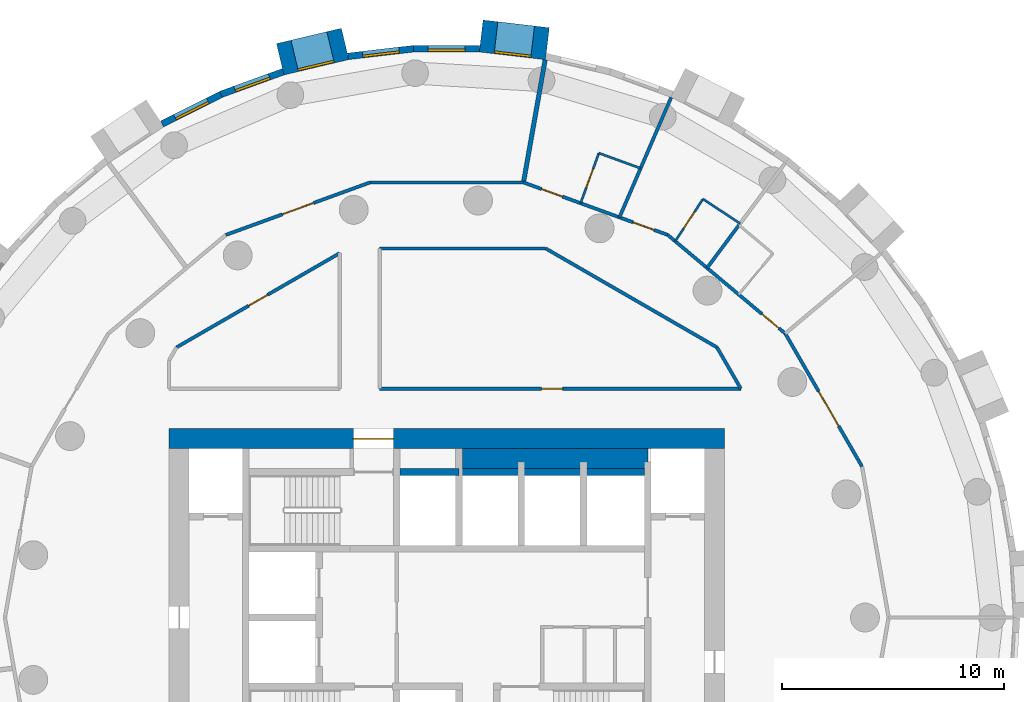
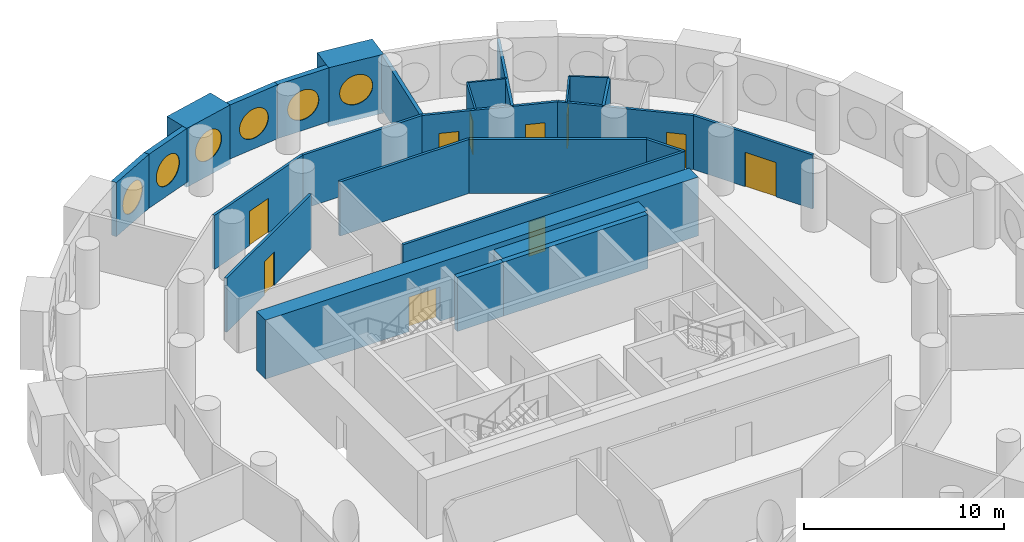
# One storey, part 6 of 9: 27 walls, 10 doors, 6 windows, 16 openings.
"""IFC4 building model written with IfcOpenShell, lengths in metres."""

from ifc_helpers import new_model, si_unit, direction, frame, frame_2d, origin, origin_2d, place, context, subcontext, project, spatial, rectangle, circle, extrude, material, layer, layer_set, type_object, element, fill, save


model = new_model("IFC4")

# Units and contexts
model_context = context("Model", 3, precision=1e-05, world=origin(), true_north=direction((0.0, 1.0)))
body_context = subcontext(model_context, "Body", "Model", "MODEL_VIEW")
ifc_project = project(units=[si_unit("LENGTHUNIT", "METRE"), si_unit("AREAUNIT", "SQUARE_METRE"), si_unit("VOLUMEUNIT", "CUBIC_METRE"), si_unit("PLANEANGLEUNIT", "RADIAN"), si_unit("MASSUNIT", "GRAM", prefix="KILO")], contexts=[model_context])

# Site, building, storey
site_placement = place(None, origin())
site = spatial("IfcSite", under=ifc_project, at=site_placement, CompositionType="ELEMENT")
building_placement = place(site_placement, origin())
building = spatial("IfcBuilding", under=site, at=building_placement, Name="Tracery Tower", CompositionType="ELEMENT")
storey_placement = place(building_placement, frame((0.0, 0.0, 151.199951171875)))
storey = spatial("IfcBuildingStorey", under=building, at=storey_placement, Name="L38", CompositionType="ELEMENT", Elevation=151.199951171875)

# Wall
ifc_material_1 = material(Name="Concrete C50/60", Category="concrete")
ifc_layer_1 = layer(ifc_material_1, 0.89990234375)
ifc_layer_set_1 = layer_set([ifc_layer_1], Name="Core strip wall 900 C50")
wall_type_1 = type_object("IfcWallType", Name="Core strip wall 900 C50", PredefinedType="SOLIDWALL", material=ifc_layer_set_1)
wall_1_placement = place(storey_placement, frame((0.699951171875, 7.14990234375, 0.0), z_axis=(0.0, 0.0, 1.0), x_axis=(1.0, 0.0, 0.0)))
element("IfcWall", 1, at=wall_1_placement, inside=storey, type_object=wall_type_1, Name="L38 F thick N E", PredefinedType="SOLIDWALL", context=body_context, shape_type="SweptSolid", body=[
    extrude(rectangle(XDim=8.35009765625, YDim=0.89990234375, at=frame_2d((4.175048828125, 0.0))), origin(), (0.0, 0.0, 1.0), 3.300048828125),
])

# Wall, opening, door
ifc_material_2 = material(Name="Concrete C50/60", Category="concrete")
ifc_layer_2 = layer(ifc_material_2, 0.89990234375)
ifc_layer_set_2 = layer_set([ifc_layer_2], Name="Core wall 900 C50")
wall_type_2 = type_object("IfcWallType", Name="Core wall 900 C50", PredefinedType="SOLIDWALL", material=ifc_layer_set_2)
wall_2_placement = place(storey_placement, frame((-12.5, 8.050048828125, 0.0), z_axis=(0.0, 0.0, 1.0), x_axis=(1.0, 0.0, 0.0)))
wall_2 = element("IfcWall", 2, at=wall_2_placement, inside=storey, type_object=wall_type_2, Name="L38 outer N", PredefinedType="SOLIDWALL", context=body_context, shape_type="SweptSolid", body=[
    extrude(rectangle(XDim=25.0, YDim=0.89990234375, at=frame_2d((12.5, 0.0))), origin(), (0.0, 0.0, 1.0), 3.60009765625),
])
opening_1_placement = place(wall_2_placement, frame((8.300048828125, 0.0, 0.0)))
opening_1 = element("IfcOpeningElement", 3, at=opening_1_placement, cuts=wall_2, Name="Opening KD13", PredefinedType="OPENING", context=body_context, shape_type="SweptSolid", body=[
    extrude(rectangle(XDim=1.800048828125, YDim=2.10009765625, at=frame_2d((0.89990234375, 1.050048828125))), frame((0.0, 0.449951171875, 0.0), z_axis=(0.0, -1.0, 0.0), x_axis=(1.0, 0.0, 0.0)), (0.0, 0.0, 1.0), 0.89990234375),
])
ifc_material_3 = material(Name="Steel fire door", Category="steel")
door_type_1 = type_object("IfcDoorType", Name="Core exit door 1800 double", OperationType="NOTDEFINED", PredefinedType="DOOR", material=ifc_material_3)
door_1_placement = place(opening_1_placement, origin())
door_1 = element("IfcDoor", 4, at=door_1_placement, inside=storey, type_object=door_type_1, Name="Core exit door", OperationType="DOUBLE_DOOR_SINGLE_SWING", OverallHeight=2.10009765625, OverallWidth=1.800048828125, PredefinedType="DOOR", context=body_context, shape_type="SweptSolid", body=[
    extrude(rectangle(XDim=1.800048828125, YDim=2.10009765625, at=frame_2d((0.89990234375, 1.050048828125))), frame((0.0, 0.02490234375, 0.0), z_axis=(0.0, -1.0, 0.0), x_axis=(1.0, 0.0, 0.0)), (0.0, 0.0, 1.0), 0.050048828125),
])
fill(opening_1, door_1)

# Wall, opening, window
ifc_material_4 = material(Name="Precast concrete C50/60", Category="concrete")
ifc_layer_3 = layer(ifc_material_4, 1.449951171875)
ifc_layer_set_3 = layer_set([ifc_layer_3], Name="Deep-set bay unit 3000 x 3600, slab edge 300")
wall_type_3 = type_object("IfcWallType", Name="Deep-set bay unit 3000 x 3600, slab edge 300", PredefinedType="ELEMENTEDWALL", material=ifc_layer_set_3)
wall_3_placement = place(storey_placement, frame((4.529052734375, 25.827880859375, -0.300048828125), z_axis=(0.0, 0.0, 1.0), x_axis=(-0.9932342274, 0.116128246006, 0.0)))
wall_3 = element("IfcWall", 5, at=wall_3_placement, inside=storey, type_object=wall_type_3, Name="Deep-set bay unit 13 at L38", PredefinedType="ELEMENTEDWALL", context=body_context, shape_type="SweptSolid", body=[
    extrude(rectangle(XDim=3.0, YDim=1.449951171875, at=frame_2d((1.5, 0.0))), origin(), (0.0, 0.0, 1.0), 3.60009765625),
])
opening_2_placement = place(wall_3_placement, frame((1.5, 0.0, 1.85009765625)))
opening_2 = element("IfcOpeningElement", 6, at=opening_2_placement, cuts=wall_3, Name="Opening WN1", PredefinedType="OPENING", context=body_context, shape_type="SweptSolid", body=[
    extrude(circle(Radius=0.9000244140625, at=origin_2d()), frame((0.0, 0.73486328125, 0.0), z_axis=(0.0, -1.0, 0.0), x_axis=(1.0, 0.0, 0.0)), (0.0, 0.0, 1.0), 1.469970703125),
])
ifc_material_5 = material(Name="Aluminium frame with tinted double glazing", Category="aluminium")
window_type = type_object("IfcWindowType", Name="Round window 1800", PartitioningType="SINGLE_PANEL", PredefinedType="WINDOW", material=ifc_material_5)
window_1_placement = place(opening_2_placement, origin())
window_1 = element("IfcWindow", 7, at=window_1_placement, inside=storey, type_object=window_type, Name="Round window 13 at L38", OverallHeight=1.800048828125, OverallWidth=1.800048828125, PartitioningType="SINGLE_PANEL", PredefinedType="WINDOW", context=body_context, shape_type="SweptSolid", body=[
    extrude(circle(Radius=0.9000244140625, at=origin_2d()), frame((0.0, 0.69482421875, 0.0), z_axis=(0.0, -1.0, 0.0), x_axis=(1.0, 0.0, 0.0)), (0.0, 0.0, 1.0), 0.10009765625),
])
fill(opening_2, window_1)

wall_4_placement = place(storey_placement, frame((-4.57763671875, 25.8193359375, -0.300048828125), z_axis=(0.0, 0.0, 1.0), x_axis=(-0.973042333261, -0.23062657627, 0.0)))
wall_4 = element("IfcWall", 8, at=wall_4_placement, inside=storey, type_object=wall_type_3, Name="Deep-set bay unit 16 at L38", PredefinedType="ELEMENTEDWALL", context=body_context, shape_type="SweptSolid", body=[
    extrude(rectangle(XDim=3.0, YDim=1.449951171875, at=frame_2d((1.5, 0.0))), origin(), (0.0, 0.0, 1.0), 3.60009765625),
])
opening_3_placement = place(wall_4_placement, frame((1.5, 0.0, 1.85009765625)))
opening_3 = element("IfcOpeningElement", 9, at=opening_3_placement, cuts=wall_4, Name="Opening WN1", PredefinedType="OPENING", context=body_context, shape_type="SweptSolid", body=[
    extrude(circle(Radius=0.9000244140625, at=origin_2d()), frame((0.0, 0.73486328125, 0.0), z_axis=(0.0, -1.0, 0.0), x_axis=(1.0, 0.0, 0.0)), (0.0, 0.0, 1.0), 1.469970703125),
])
window_2_placement = place(opening_3_placement, origin())
window_2 = element("IfcWindow", 10, at=window_2_placement, inside=storey, type_object=window_type, Name="Round window 16 at L38", OverallHeight=1.800048828125, OverallWidth=1.800048828125, PartitioningType="SINGLE_PANEL", PredefinedType="WINDOW", context=body_context, shape_type="SweptSolid", body=[
    extrude(circle(Radius=0.9000244140625, at=origin_2d()), frame((0.0, 0.69482421875, 0.0), z_axis=(0.0, -1.0, 0.0), x_axis=(1.0, 0.0, 0.0)), (0.0, 0.0, 1.0), 0.10009765625),
])
fill(opening_3, window_2)

ifc_material_6 = material(Name="Precast concrete C50/60", Category="concrete")
ifc_layer_4 = layer(ifc_material_6, 0.300048828125)
ifc_layer_set_4 = layer_set([ifc_layer_4], Name="Facade panel 3000 x 3300")
wall_type_4 = type_object("IfcWallType", Name="Facade panel 3000 x 3300", PredefinedType="SOLIDWALL", material=ifc_layer_set_4)
wall_5_placement = place(storey_placement, frame((1.481689453125, 25.60400390625, 0.0), z_axis=(0.0, 0.0, 1.0), x_axis=(-1.0, 0.0, 0.0)))
wall_5 = element("IfcWall", 11, at=wall_5_placement, inside=storey, type_object=wall_type_4, Name="Facade panel 14 at L38", PredefinedType="SOLIDWALL", context=body_context, shape_type="SweptSolid", body=[
    extrude(rectangle(XDim=2.972900390625, YDim=0.300048828125, at=frame_2d((1.486328125, 0.0))), origin(), (0.0, 0.0, 1.0), 3.300048828125),
])
opening_4_placement = place(wall_5_placement, frame((1.486328125, 0.0, 1.5498046875)))
opening_4 = element("IfcOpeningElement", 12, at=opening_4_placement, cuts=wall_5, Name="Opening WN1", PredefinedType="OPENING", context=body_context, shape_type="SweptSolid", body=[
    extrude(circle(Radius=0.9000244140625, at=origin_2d()), frame((0.0, 0.159912109375, 0.0), z_axis=(0.0, -1.0, 0.0), x_axis=(1.0, 0.0, 0.0)), (0.0, 0.0, 1.0), 0.320068359375),
])
window_3_placement = place(opening_4_placement, origin())
window_3 = element("IfcWindow", 13, at=window_3_placement, inside=storey, type_object=window_type, Name="Round window 14 at L38", OverallHeight=1.800048828125, OverallWidth=1.800048828125, PartitioningType="SINGLE_PANEL", PredefinedType="WINDOW", context=body_context, shape_type="SweptSolid", body=[
    extrude(circle(Radius=0.9000244140625, at=origin_2d()), frame((0.0, 0.1201171875, 0.0), z_axis=(0.0, -1.0, 0.0), x_axis=(1.0, 0.0, 0.0)), (0.0, 0.0, 1.0), 0.10009765625),
])
fill(opening_4, window_3)

wall_6_placement = place(storey_placement, frame((-1.4912109375, 25.60400390625, 0.0), z_axis=(0.0, 0.0, 1.0), x_axis=(-0.993245010522, -0.1160359818, 0.0)))
wall_6 = element("IfcWall", 14, at=wall_6_placement, inside=storey, type_object=wall_type_4, Name="Facade panel 15 at L38", PredefinedType="SOLIDWALL", context=body_context, shape_type="SweptSolid", body=[
    extrude(rectangle(XDim=2.972900390625, YDim=0.300048828125, at=frame_2d((1.486328125, 0.0))), origin(), (0.0, 0.0, 1.0), 3.300048828125),
])
opening_5_placement = place(wall_6_placement, frame((1.486328125, 0.0, 1.5498046875)))
opening_5 = element("IfcOpeningElement", 15, at=opening_5_placement, cuts=wall_6, Name="Opening WN1", PredefinedType="OPENING", context=body_context, shape_type="SweptSolid", body=[
    extrude(circle(Radius=0.9000244140625, at=origin_2d()), frame((0.0, 0.159912109375, 0.0), z_axis=(0.0, -1.0, 0.0), x_axis=(1.0, 0.0, 0.0)), (0.0, 0.0, 1.0), 0.320068359375),
])
window_4_placement = place(opening_5_placement, origin())
window_4 = element("IfcWindow", 16, at=window_4_placement, inside=storey, type_object=window_type, Name="Round window 15 at L38", OverallHeight=1.800048828125, OverallWidth=1.800048828125, PartitioningType="SINGLE_PANEL", PredefinedType="WINDOW", context=body_context, shape_type="SweptSolid", body=[
    extrude(circle(Radius=0.9000244140625, at=origin_2d()), frame((0.0, 0.1201171875, 0.0), z_axis=(0.0, -1.0, 0.0), x_axis=(1.0, 0.0, 0.0)), (0.0, 0.0, 1.0), 0.10009765625),
])
fill(opening_5, window_4)

wall_7_placement = place(storey_placement, frame((-7.36474609375, 24.566650390625, 0.0), z_axis=(0.0, 0.0, 1.0), x_axis=(-0.939690282133, -0.342026568652, 0.0)))
wall_7 = element("IfcWall", 17, at=wall_7_placement, inside=storey, type_object=wall_type_4, Name="Facade panel 17 at L38", PredefinedType="SOLIDWALL", context=body_context, shape_type="SweptSolid", body=[
    extrude(rectangle(XDim=2.972900390625, YDim=0.300048828125, at=frame_2d((1.486328125, 0.0))), origin(), (0.0, 0.0, 1.0), 3.300048828125),
])
opening_6_placement = place(wall_7_placement, frame((1.486328125, 0.0, 1.5498046875)))
opening_6 = element("IfcOpeningElement", 18, at=opening_6_placement, cuts=wall_7, Name="Opening WN1", PredefinedType="OPENING", context=body_context, shape_type="SweptSolid", body=[
    extrude(circle(Radius=0.9000244140625, at=origin_2d()), frame((0.0, 0.159912109375, 0.0), z_axis=(0.0, -1.0, 0.0), x_axis=(1.0, 0.0, 0.0)), (0.0, 0.0, 1.0), 0.320068359375),
])
window_5_placement = place(opening_6_placement, origin())
window_5 = element("IfcWindow", 19, at=window_5_placement, inside=storey, type_object=window_type, Name="Round window 17 at L38", OverallHeight=1.800048828125, OverallWidth=1.800048828125, PartitioningType="SINGLE_PANEL", PredefinedType="WINDOW", context=body_context, shape_type="SweptSolid", body=[
    extrude(circle(Radius=0.9000244140625, at=origin_2d()), frame((0.0, 0.1201171875, 0.0), z_axis=(0.0, -1.0, 0.0), x_axis=(1.0, 0.0, 0.0)), (0.0, 0.0, 1.0), 0.10009765625),
])
fill(opening_6, window_5)

wall_8_placement = place(storey_placement, frame((-10.158447265625, 23.5498046875, 0.0), z_axis=(0.0, 0.0, 1.0), x_axis=(-0.893637442555, -0.448789618045, 0.0)))
wall_8 = element("IfcWall", 20, at=wall_8_placement, inside=storey, type_object=wall_type_4, Name="Facade panel 18 at L38", PredefinedType="SOLIDWALL", context=body_context, shape_type="SweptSolid", body=[
    extrude(rectangle(XDim=2.972900390625, YDim=0.300048828125, at=frame_2d((1.486328125, 0.0))), origin(), (0.0, 0.0, 1.0), 3.300048828125),
])
opening_7_placement = place(wall_8_placement, frame((1.486328125, 0.0, 1.5498046875)))
opening_7 = element("IfcOpeningElement", 21, at=opening_7_placement, cuts=wall_8, Name="Opening WN1", PredefinedType="OPENING", context=body_context, shape_type="SweptSolid", body=[
    extrude(circle(Radius=0.9000244140625, at=origin_2d()), frame((0.0, 0.159912109375, 0.0), z_axis=(0.0, -1.0, 0.0), x_axis=(1.0, 0.0, 0.0)), (0.0, 0.0, 1.0), 0.320068359375),
])
window_6_placement = place(opening_7_placement, origin())
window_6 = element("IfcWindow", 22, at=window_6_placement, inside=storey, type_object=window_type, Name="Round window 18 at L38", OverallHeight=1.800048828125, OverallWidth=1.800048828125, PartitioningType="SINGLE_PANEL", PredefinedType="WINDOW", context=body_context, shape_type="SweptSolid", body=[
    extrude(circle(Radius=0.9000244140625, at=origin_2d()), frame((0.0, 0.1201171875, 0.0), z_axis=(0.0, -1.0, 0.0), x_axis=(1.0, 0.0, 0.0)), (0.0, 0.0, 1.0), 0.10009765625),
])
fill(opening_7, window_6)

# Wall
ifc_material_7 = material(Name="Plasterboard on steel studs", Category="steel")
ifc_layer_5 = layer(ifc_material_7, 0.10009765625)
ifc_layer_set_5 = layer_set([ifc_layer_5], Name="Partition 100 wet wall")
wall_type_5 = type_object("IfcWallType", Name="Partition 100 wet wall", PredefinedType="PARTITIONING", material=ifc_layer_set_5)
wall_9_placement = place(storey_placement, frame((11.531005859375, 18.8369140625, 0.0), z_axis=(0.0, 0.0, 1.0), x_axis=(0.835392041163, -0.549654562032, 0.0)))
element("IfcWall", 23, at=wall_9_placement, inside=storey, type_object=wall_type_5, Name="Wet wall RB3-045", PredefinedType="PARTITIONING", context=body_context, shape_type="SweptSolid", body=[
    extrude(rectangle(XDim=2.002685546875, YDim=0.10009765625, at=frame_2d((1.00146484375, 0.0))), origin(), (0.0, 0.0, 1.0), 3.300048828125),
])

# Wall, opening, door
wall_10_placement = place(storey_placement, frame((10.281982421875, 16.93896484375, 0.0), z_axis=(0.0, 0.0, 1.0), x_axis=(0.549730960803, 0.83534176882, 0.0)))
wall_10 = element("IfcWall", 24, at=wall_10_placement, inside=storey, type_object=wall_type_5, Name="Wet wall RB3-046", PredefinedType="PARTITIONING", context=body_context, shape_type="SweptSolid", body=[
    extrude(rectangle(XDim=2.27197265625, YDim=0.10009765625, at=frame_2d((1.135986328125, 0.0))), origin(), (0.0, 0.0, 1.0), 3.300048828125),
])
opening_8_placement = place(wall_10_placement, frame((0.68603515625, 0.0, 0.0)))
opening_8 = element("IfcOpeningElement", 25, at=opening_8_placement, cuts=wall_10, Name="Opening RB3-08", PredefinedType="OPENING", context=body_context, shape_type="SweptSolid", body=[
    extrude(rectangle(XDim=0.89990234375, YDim=2.0400390625, at=frame_2d((0.449951171875, 1.02001953125))), frame((0.0, 0.050048828125, 0.0), z_axis=(0.0, -1.0, 0.0), x_axis=(1.0, 0.0, 0.0)), (0.0, 0.0, 1.0), 0.10009765625),
])
ifc_material_8 = material(Name="Timber door leaf", Category="wood")
door_type_2 = type_object("IfcDoorType", Name="Door en-suite 900", OperationType="NOTDEFINED", PredefinedType="DOOR", material=ifc_material_8)
door_2_placement = place(opening_8_placement, origin())
door_2 = element("IfcDoor", 26, at=door_2_placement, inside=storey, type_object=door_type_2, Name="En-suite door RB3-08", OperationType="SINGLE_SWING_LEFT", OverallHeight=2.0400390625, OverallWidth=0.89990234375, PredefinedType="DOOR", context=body_context, shape_type="SweptSolid", body=[
    extrude(rectangle(XDim=0.89990234375, YDim=2.0400390625, at=frame_2d((0.449951171875, 1.02001953125))), frame((0.0, 0.02490234375, 0.0), z_axis=(0.0, -1.0, 0.0), x_axis=(1.0, 0.0, 0.0)), (0.0, 0.0, 1.0), 0.050048828125),
])
fill(opening_8, door_2)

# Wall
wall_11_placement = place(storey_placement, frame((6.844970703125, 20.905029296875, 0.0), z_axis=(0.0, 0.0, 1.0), x_axis=(0.939757747305, -0.341841156651, 0.0)))
element("IfcWall", 27, at=wall_11_placement, inside=storey, type_object=wall_type_5, Name="Wet wall RB3-048", PredefinedType="PARTITIONING", context=body_context, shape_type="SweptSolid", body=[
    extrude(rectangle(XDim=1.998291015625, YDim=0.10009765625, at=frame_2d((0.9990234375, 0.0))), origin(), (0.0, 0.0, 1.0), 3.300048828125),
])

# Wall, opening, door
wall_12_placement = place(storey_placement, frame((6.02392578125, 18.64990234375, 0.0), z_axis=(0.0, 0.0, 1.0), x_axis=(0.342110593602, 0.939659694648, 0.0)))
wall_12 = element("IfcWall", 28, at=wall_12_placement, inside=storey, type_object=wall_type_5, Name="Wet wall RB3-049", PredefinedType="PARTITIONING", context=body_context, shape_type="SweptSolid", body=[
    extrude(rectangle(XDim=2.39990234375, YDim=0.10009765625, at=frame_2d((1.199951171875, 0.0))), origin(), (0.0, 0.0, 1.0), 3.300048828125),
])
opening_9_placement = place(wall_12_placement, frame((0.749755859375, 0.0, 0.0)))
opening_9 = element("IfcOpeningElement", 29, at=opening_9_placement, cuts=wall_12, Name="Opening RB3-10", PredefinedType="OPENING", context=body_context, shape_type="SweptSolid", body=[
    extrude(rectangle(XDim=0.89990234375, YDim=2.0400390625, at=frame_2d((0.449951171875, 1.02001953125))), frame((0.0, 0.050048828125, 0.0), z_axis=(0.0, -1.0, 0.0), x_axis=(1.0, 0.0, 0.0)), (0.0, 0.0, 1.0), 0.10009765625),
])
door_3_placement = place(opening_9_placement, origin())
door_3 = element("IfcDoor", 30, at=door_3_placement, inside=storey, type_object=door_type_2, Name="En-suite door RB3-10", OperationType="SINGLE_SWING_RIGHT", OverallHeight=2.0400390625, OverallWidth=0.89990234375, PredefinedType="DOOR", context=body_context, shape_type="SweptSolid", body=[
    extrude(rectangle(XDim=0.89990234375, YDim=2.0400390625, at=frame_2d((0.449951171875, 1.02001953125))), frame((0.0, 0.02490234375, 0.0), z_axis=(0.0, -1.0, 0.0), x_axis=(1.0, 0.0, 0.0)), (0.0, 0.0, 1.0), 0.050048828125),
])
fill(opening_9, door_3)

# Walls
ifc_material_9 = material(Name="Plasterboard on steel studs", Category="steel")
ifc_layer_6 = layer(ifc_material_9, 0.14990234375)
ifc_layer_set_6 = layer_set([ifc_layer_6], Name="Partition 150 acoustic unit wall")
wall_type_6 = type_object("IfcWallType", Name="Partition 150 acoustic unit wall", PredefinedType="PARTITIONING", material=ifc_layer_set_6)
wall_13_placement = place(storey_placement, frame((11.716064453125, 15.737060546875, 0.0), z_axis=(0.0, 0.0, 1.0), x_axis=(0.597021412293, 0.802225300813, 0.0)))
element("IfcWall", 31, at=wall_13_placement, inside=storey, type_object=wall_type_6, Name="Unit wall RB3-044", PredefinedType="PARTITIONING", context=body_context, shape_type="SweptSolid", body=[
    extrude(rectangle(XDim=2.4033203125, YDim=0.14990234375, at=frame_2d((1.20166015625, 0.0))), origin(), (0.0, 0.0, 1.0), 3.300048828125),
])
wall_14_placement = place(storey_placement, frame((7.771728515625, 18.013671875, 0.0), z_axis=(0.0, 0.0, 1.0), x_axis=(0.395898183585, 0.918294412612, 0.0)))
element("IfcWall", 32, at=wall_14_placement, inside=storey, type_object=wall_type_6, Name="Unit wall RB3-047", PredefinedType="PARTITIONING", context=body_context, shape_type="SweptSolid", body=[
    extrude(rectangle(XDim=5.878662109375, YDim=0.14990234375, at=frame_2d((2.939453125, 0.0))), origin(), (0.0, 0.0, 1.0), 3.300048828125),
])

# Wall, opening, door
ifc_material_10 = material(Name="Plasterboard on steel studs", Category="steel")
ifc_layer_7 = layer(ifc_material_10, 0.14990234375)
ifc_layer_set_7 = layer_set([ifc_layer_7], Name="Partition 150 corridor wall")
wall_type_7 = type_object("IfcWallType", Name="Partition 150 corridor wall", PredefinedType="PARTITIONING", material=ifc_layer_set_7)
wall_15_placement = place(storey_placement, frame((-3.02490234375, 10.300048828125, 0.0), z_axis=(0.0, 0.0, 1.0), x_axis=(1.0, 0.0, 0.0)))
wall_15 = element("IfcWall", 33, at=wall_15_placement, inside=storey, type_object=wall_type_7, Name="Corridor wall RB3-002", PredefinedType="PARTITIONING", context=body_context, shape_type="SweptSolid", body=[
    extrude(rectangle(XDim=16.261962890625, YDim=0.14990234375, at=frame_2d((8.130859375, 0.0))), origin(), (0.0, 0.0, 1.0), 3.300048828125),
])
opening_10_placement = place(wall_15_placement, frame((7.2880859375, 0.0, 0.0)))
opening_10 = element("IfcOpeningElement", 34, at=opening_10_placement, cuts=wall_15, Name="Opening RB3-02", PredefinedType="OPENING", context=body_context, shape_type="SweptSolid", body=[
    extrude(rectangle(XDim=0.949951171875, YDim=2.10009765625, at=frame_2d((0.47509765625, 1.050048828125))), frame((0.0, 0.074951171875, 0.0), z_axis=(0.0, -1.0, 0.0), x_axis=(1.0, 0.0, 0.0)), (0.0, 0.0, 1.0), 0.14990234375),
])
ifc_material_11 = material(Name="Timber door leaf", Category="wood")
door_type_3 = type_object("IfcDoorType", Name="Door store 950", OperationType="NOTDEFINED", PredefinedType="DOOR", material=ifc_material_11)
door_4_placement = place(opening_10_placement, origin())
door_4 = element("IfcDoor", 35, at=door_4_placement, inside=storey, type_object=door_type_3, Name="Store door RB3-02", OperationType="SINGLE_SWING_RIGHT", OverallHeight=2.10009765625, OverallWidth=0.949951171875, PredefinedType="DOOR", context=body_context, shape_type="SweptSolid", body=[
    extrude(rectangle(XDim=0.949951171875, YDim=2.10009765625, at=frame_2d((0.47509765625, 1.050048828125))), frame((0.0, 0.02490234375, 0.0), z_axis=(0.0, -1.0, 0.0), x_axis=(1.0, 0.0, 0.0)), (0.0, 0.0, 1.0), 0.050048828125),
])
fill(opening_10, door_4)

# Wall
wall_16_placement = place(storey_placement, frame((12.162109375, 12.162109375, 0.0), z_axis=(0.0, 0.0, 1.0), x_axis=(0.499961633463, -0.866047553582, 0.0)))
element("IfcWall", 36, at=wall_16_placement, inside=storey, type_object=wall_type_7, Name="Corridor wall RB3-005", PredefinedType="PARTITIONING", context=body_context, shape_type="SweptSolid", body=[
    extrude(rectangle(XDim=2.150146484375, YDim=0.14990234375, at=frame_2d((1.0751953125, 0.0))), origin(), (0.0, 0.0, 1.0), 3.300048828125),
])

# Wall, opening, door
wall_17_placement = place(storey_placement, frame((15.235107421875, 12.783935546875, 0.0), z_axis=(0.0, 0.0, 1.0), x_axis=(0.499914202267, -0.866074933462, 0.0)))
wall_17 = element("IfcWall", 37, at=wall_17_placement, inside=storey, type_object=wall_type_7, Name="Corridor wall RB3-007", PredefinedType="PARTITIONING", context=body_context, shape_type="SweptSolid", body=[
    extrude(rectangle(XDim=6.906982421875, YDim=0.14990234375, at=frame_2d((3.45361328125, 0.0))), origin(), (0.0, 0.0, 1.0), 3.300048828125),
])
opening_11_placement = place(wall_17_placement, frame((3.00390625, 0.0, 0.0)))
opening_11 = element("IfcOpeningElement", 38, at=opening_11_placement, cuts=wall_17, Name="Opening RB3-05", PredefinedType="OPENING", context=body_context, shape_type="SweptSolid", body=[
    extrude(rectangle(XDim=1.800048828125, YDim=2.10009765625, at=frame_2d((0.89990234375, 1.050048828125))), frame((0.0, 0.074951171875, 0.0), z_axis=(0.0, -1.0, 0.0), x_axis=(1.0, 0.0, 0.0)), (0.0, 0.0, 1.0), 0.14990234375),
])
ifc_material_12 = material(Name="Timber door leaf", Category="wood")
door_type_4 = type_object("IfcDoorType", Name="Door double lounge 1800", OperationType="NOTDEFINED", PredefinedType="DOOR", material=ifc_material_12)
door_5_placement = place(opening_11_placement, origin())
door_5 = element("IfcDoor", 39, at=door_5_placement, inside=storey, type_object=door_type_4, Name="Double lounge door RB3-05", OperationType="DOUBLE_DOOR_SINGLE_SWING", OverallHeight=2.10009765625, OverallWidth=1.800048828125, PredefinedType="DOOR", context=body_context, shape_type="SweptSolid", body=[
    extrude(rectangle(XDim=1.800048828125, YDim=2.10009765625, at=frame_2d((0.89990234375, 1.050048828125))), frame((0.0, 0.02490234375, 0.0), z_axis=(0.0, -1.0, 0.0), x_axis=(1.0, 0.0, 0.0)), (0.0, 0.0, 1.0), 0.050048828125),
])
fill(opening_11, door_5)

wall_18_placement = place(storey_placement, frame((9.943359375, 17.22216796875, 0.0), z_axis=(0.0, 0.0, 1.0), x_axis=(0.766192104565, -0.642611592567, 0.0)))
wall_18 = element("IfcWall", 40, at=wall_18_placement, inside=storey, type_object=wall_type_7, Name="Corridor wall RB3-009", PredefinedType="PARTITIONING", context=body_context, shape_type="SweptSolid", body=[
    extrude(rectangle(XDim=6.906494140625, YDim=0.14990234375, at=frame_2d((3.453125, 0.0))), origin(), (0.0, 0.0, 1.0), 3.300048828125),
])
opening_12_placement = place(wall_18_placement, frame((5.53662109375, 0.0, 0.0)))
opening_12 = element("IfcOpeningElement", 41, at=opening_12_placement, cuts=wall_18, Name="Opening RB3-07", PredefinedType="OPENING", context=body_context, shape_type="SweptSolid", body=[
    extrude(rectangle(XDim=1.0, YDim=2.10009765625, at=frame_2d((0.5, 1.050048828125))), frame((0.0, 0.074951171875, 0.0), z_axis=(0.0, -1.0, 0.0), x_axis=(1.0, 0.0, 0.0)), (0.0, 0.0, 1.0), 0.14990234375),
])
ifc_material_13 = material(Name="Timber door leaf", Category="wood")
door_type_5 = type_object("IfcDoorType", Name="Door unit entrance 1000", OperationType="NOTDEFINED", PredefinedType="DOOR", material=ifc_material_13)
door_6_placement = place(opening_12_placement, origin())
door_6 = element("IfcDoor", 42, at=door_6_placement, inside=storey, type_object=door_type_5, Name="Unit entrance door RB3-07", OperationType="SINGLE_SWING_RIGHT", OverallHeight=2.10009765625, OverallWidth=1.0, PredefinedType="DOOR", context=body_context, shape_type="SweptSolid", body=[
    extrude(rectangle(XDim=1.0, YDim=2.10009765625, at=frame_2d((0.5, 1.050048828125))), frame((0.0, 0.02490234375, 0.0), z_axis=(0.0, -1.0, 0.0), x_axis=(1.0, 0.0, 0.0)), (0.0, 0.0, 1.0), 0.050048828125),
])
fill(opening_12, door_6)

wall_19_placement = place(storey_placement, frame((-12.162109375, 12.162109375, 0.0), z_axis=(0.0, 0.0, 1.0), x_axis=(0.866004766557, 0.500035743023, 0.0)))
wall_19 = element("IfcWall", 43, at=wall_19_placement, inside=storey, type_object=wall_type_7, Name="Corridor wall RB3-014", PredefinedType="PARTITIONING", context=body_context, shape_type="SweptSolid", body=[
    extrude(rectangle(XDim=8.47705078125, YDim=0.14990234375, at=frame_2d((4.238525390625, 0.0))), origin(), (0.0, 0.0, 1.0), 3.300048828125),
])
opening_13_placement = place(wall_19_placement, frame((3.739013671875, 0.0, 0.0)))
opening_13 = element("IfcOpeningElement", 44, at=opening_13_placement, cuts=wall_19, Name="Opening RB3-01", PredefinedType="OPENING", context=body_context, shape_type="SweptSolid", body=[
    extrude(rectangle(XDim=1.0, YDim=2.0400390625, at=frame_2d((0.5, 1.02001953125))), frame((0.0, 0.074951171875, 0.0), z_axis=(0.0, -1.0, 0.0), x_axis=(1.0, 0.0, 0.0)), (0.0, 0.0, 1.0), 0.14990234375),
])
ifc_material_14 = material(Name="Timber door leaf", Category="wood")
door_type_6 = type_object("IfcDoorType", Name="Door communal room 1000", OperationType="NOTDEFINED", PredefinedType="DOOR", material=ifc_material_14)
door_7_placement = place(opening_13_placement, origin())
door_7 = element("IfcDoor", 45, at=door_7_placement, inside=storey, type_object=door_type_6, Name="Communal room door RB3-01", OperationType="SINGLE_SWING_LEFT", OverallHeight=2.0400390625, OverallWidth=1.0, PredefinedType="DOOR", context=body_context, shape_type="SweptSolid", body=[
    extrude(rectangle(XDim=1.0, YDim=2.0400390625, at=frame_2d((0.5, 1.02001953125))), frame((0.0, 0.02490234375, 0.0), z_axis=(0.0, -1.0, 0.0), x_axis=(1.0, 0.0, 0.0)), (0.0, 0.0, 1.0), 0.050048828125),
])
fill(opening_13, door_7)

# Walls
wall_20_placement = place(storey_placement, frame((4.451904296875, 16.614013671875, 0.0), z_axis=(0.0, 0.0, 1.0), x_axis=(0.866005203721, -0.500034985904, 0.0)))
element("IfcWall", 46, at=wall_20_placement, inside=storey, type_object=wall_type_7, Name="Corridor wall RB3-015", PredefinedType="PARTITIONING", context=body_context, shape_type="SweptSolid", body=[
    extrude(rectangle(XDim=8.903076171875, YDim=0.14990234375, at=frame_2d((4.45166015625, 0.0))), origin(), (0.0, 0.0, 1.0), 3.300048828125),
])
wall_21_placement = place(storey_placement, frame((-3.02099609375, 16.614013671875, 0.0), z_axis=(0.0, 0.0, 1.0), x_axis=(1.0, 0.0, 0.0)))
element("IfcWall", 47, at=wall_21_placement, inside=storey, type_object=wall_type_7, Name="Corridor wall RB3-016", PredefinedType="PARTITIONING", context=body_context, shape_type="SweptSolid", body=[
    extrude(rectangle(XDim=7.472900390625, YDim=0.14990234375, at=frame_2d((3.736328125, 0.0))), origin(), (0.0, 0.0, 1.0), 3.300048828125),
])

# Wall, openings, doors
wall_22_placement = place(storey_placement, frame((3.452392578125, 19.584716796875, 0.0), z_axis=(0.0, 0.0, 1.0), x_axis=(0.939737689664, -0.341896292208, 0.0)))
wall_22 = element("IfcWall", 48, at=wall_22_placement, inside=storey, type_object=wall_type_7, Name="Corridor wall RB3-018", PredefinedType="PARTITIONING", context=body_context, shape_type="SweptSolid", body=[
    extrude(rectangle(XDim=6.907958984375, YDim=0.14990234375, at=frame_2d((3.4541015625, 0.0))), origin(), (0.0, 0.0, 1.0), 3.300048828125),
])
opening_14_placement = place(wall_22_placement, frame((5.2490234375, 0.0, 0.0)))
opening_14 = element("IfcOpeningElement", 49, at=opening_14_placement, cuts=wall_22, Name="Opening RB3-09", PredefinedType="OPENING", context=body_context, shape_type="SweptSolid", body=[
    extrude(rectangle(XDim=1.0, YDim=2.10009765625, at=frame_2d((0.5, 1.050048828125))), frame((0.0, 0.074951171875, 0.0), z_axis=(0.0, -1.0, 0.0), x_axis=(1.0, 0.0, 0.0)), (0.0, 0.0, 1.0), 0.14990234375),
])
opening_15_placement = place(wall_22_placement, frame((0.8701171875, 0.0, 0.0)))
opening_15 = element("IfcOpeningElement", 50, at=opening_15_placement, cuts=wall_22, Name="Opening RB3-11", PredefinedType="OPENING", context=body_context, shape_type="SweptSolid", body=[
    extrude(rectangle(XDim=1.0, YDim=2.10009765625, at=frame_2d((0.5, 1.050048828125))), frame((0.0, 0.074951171875, 0.0), z_axis=(0.0, -1.0, 0.0), x_axis=(1.0, 0.0, 0.0)), (0.0, 0.0, 1.0), 0.14990234375),
])
door_8_placement = place(opening_14_placement, origin())
door_8 = element("IfcDoor", 51, at=door_8_placement, inside=storey, type_object=door_type_5, Name="Unit entrance door RB3-09", OperationType="SINGLE_SWING_LEFT", OverallHeight=2.10009765625, OverallWidth=1.0, PredefinedType="DOOR", context=body_context, shape_type="SweptSolid", body=[
    extrude(rectangle(XDim=1.0, YDim=2.10009765625, at=frame_2d((0.5, 1.050048828125))), frame((0.0, 0.02490234375, 0.0), z_axis=(0.0, -1.0, 0.0), x_axis=(1.0, 0.0, 0.0)), (0.0, 0.0, 1.0), 0.050048828125),
])
fill(opening_14, door_8)
door_9_placement = place(opening_15_placement, origin())
door_9 = element("IfcDoor", 52, at=door_9_placement, inside=storey, type_object=door_type_5, Name="Unit entrance door RB3-11", OperationType="SINGLE_SWING_LEFT", OverallHeight=2.10009765625, OverallWidth=1.0, PredefinedType="DOOR", context=body_context, shape_type="SweptSolid", body=[
    extrude(rectangle(XDim=1.0, YDim=2.10009765625, at=frame_2d((0.5, 1.050048828125))), frame((0.0, 0.02490234375, 0.0), z_axis=(0.0, -1.0, 0.0), x_axis=(1.0, 0.0, 0.0)), (0.0, 0.0, 1.0), 0.050048828125),
])
fill(opening_15, door_9)

# Wall, opening, door
wall_23_placement = place(storey_placement, frame((-9.944091796875, 17.222900390625, 0.0), z_axis=(0.0, 0.0, 1.0), x_axis=(0.939672634566, 0.342075050021, 0.0)))
wall_23 = element("IfcWall", 53, at=wall_23_placement, inside=storey, type_object=wall_type_7, Name="Corridor wall RB3-020", PredefinedType="PARTITIONING", context=body_context, shape_type="SweptSolid", body=[
    extrude(rectangle(XDim=6.907958984375, YDim=0.14990234375, at=frame_2d((3.4541015625, 0.0))), origin(), (0.0, 0.0, 1.0), 3.300048828125),
])
opening_16_placement = place(wall_23_placement, frame((2.7041015625, 0.0, 0.0)))
opening_16 = element("IfcOpeningElement", 54, at=opening_16_placement, cuts=wall_23, Name="Opening RB3-12", PredefinedType="OPENING", context=body_context, shape_type="SweptSolid", body=[
    extrude(rectangle(XDim=1.5, YDim=2.10009765625, at=frame_2d((0.75, 1.050048828125))), frame((0.0, 0.074951171875, 0.0), z_axis=(0.0, -1.0, 0.0), x_axis=(1.0, 0.0, 0.0)), (0.0, 0.0, 1.0), 0.14990234375),
])
ifc_material_15 = material(Name="Timber door leaf", Category="wood")
door_type_7 = type_object("IfcDoorType", Name="Door double kitchen 1500", OperationType="NOTDEFINED", PredefinedType="DOOR", material=ifc_material_15)
door_10_placement = place(opening_16_placement, origin())
door_10 = element("IfcDoor", 55, at=door_10_placement, inside=storey, type_object=door_type_7, Name="Double kitchen door RB3-12", OperationType="DOUBLE_DOOR_SINGLE_SWING", OverallHeight=2.10009765625, OverallWidth=1.5, PredefinedType="DOOR", context=body_context, shape_type="SweptSolid", body=[
    extrude(rectangle(XDim=1.5, YDim=2.10009765625, at=frame_2d((0.75, 1.050048828125))), frame((0.0, 0.02490234375, 0.0), z_axis=(0.0, -1.0, 0.0), x_axis=(1.0, 0.0, 0.0)), (0.0, 0.0, 1.0), 0.050048828125),
])
fill(opening_16, door_10)

# Walls
wall_24_placement = place(storey_placement, frame((-3.452880859375, 19.5859375, 0.0), z_axis=(0.0, 0.0, 1.0), x_axis=(1.0, 0.0, 0.0)))
element("IfcWall", 56, at=wall_24_placement, inside=storey, type_object=wall_type_7, Name="Corridor wall RB3-021", PredefinedType="PARTITIONING", context=body_context, shape_type="SweptSolid", body=[
    extrude(rectangle(XDim=6.90576171875, YDim=0.14990234375, at=frame_2d((3.452880859375, 0.0))), origin(), (0.0, 0.0, 1.0), 3.300048828125),
])
ifc_material_16 = material(Name="Plasterboard on steel studs", Category="steel")
ifc_layer_8 = layer(ifc_material_16, 0.199951171875)
ifc_layer_set_8 = layer_set([ifc_layer_8], Name="Partition 200 compartment wall")
wall_type_8 = type_object("IfcWallType", Name="Partition 200 compartment wall", PredefinedType="PARTITIONING", material=ifc_layer_set_8)
wall_25_placement = place(storey_placement, frame((3.452880859375, 19.5859375, 0.0), z_axis=(0.0, 0.0, 1.0), x_axis=(0.17382754149, 0.984776109489, 0.0)))
element("IfcWall", 57, at=wall_25_placement, inside=storey, type_object=wall_type_8, Name="Compartment wall RB3-050", PredefinedType="PARTITIONING", context=body_context, shape_type="SweptSolid", body=[
    extrude(rectangle(XDim=5.609619140625, YDim=0.199951171875, at=frame_2d((2.8046875, 0.0))), origin(), (0.0, 0.0, 1.0), 3.300048828125),
])
ifc_material_17 = material(Name="Concrete C50/60", Category="concrete")
ifc_layer_9 = layer(ifc_material_17, 0.300048828125)
ifc_layer_set_9 = layer_set([ifc_layer_9], Name="Stair wall 300 C50")
wall_type_9 = type_object("IfcWallType", Name="Stair wall 300 C50", PredefinedType="SOLIDWALL", material=ifc_layer_set_9)
wall_26_placement = place(storey_placement, frame((-2.10009765625, 6.550048828125, 0.0), z_axis=(0.0, 0.0, 1.0), x_axis=(1.0, 0.0, 0.0)))
element("IfcWall", 58, at=wall_26_placement, inside=storey, type_object=wall_type_9, Name="L38 F N E1", PredefinedType="SOLIDWALL", context=body_context, shape_type="SweptSolid", body=[
    extrude(rectangle(XDim=2.650146484375, YDim=0.300048828125, at=frame_2d((1.3251953125, 0.0))), origin(), (0.0, 0.0, 1.0), 3.300048828125),
])
wall_27_placement = place(storey_placement, frame((0.550048828125, 6.550048828125, 0.0), z_axis=(0.0, 0.0, 1.0), x_axis=(1.0, 0.0, 0.0)))
element("IfcWall", 59, at=wall_27_placement, inside=storey, type_object=wall_type_9, Name="L38 F stair strip N E", PredefinedType="SOLIDWALL", context=body_context, shape_type="SweptSolid", body=[
    extrude(rectangle(XDim=8.349853515625, YDim=0.300048828125, at=frame_2d((4.1748046875, 0.0))), origin(), (0.0, 0.0, 1.0), 3.300048828125),
])

save(model, "model.ifc")
